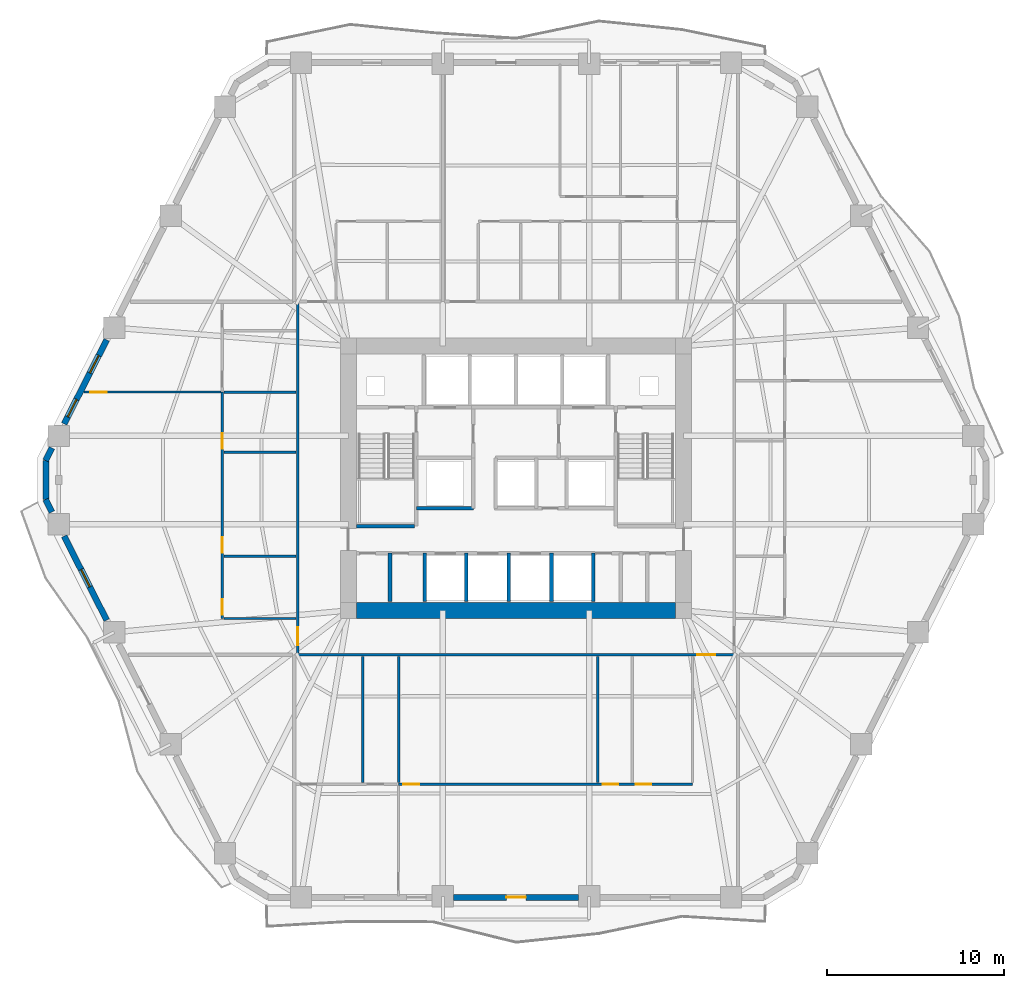
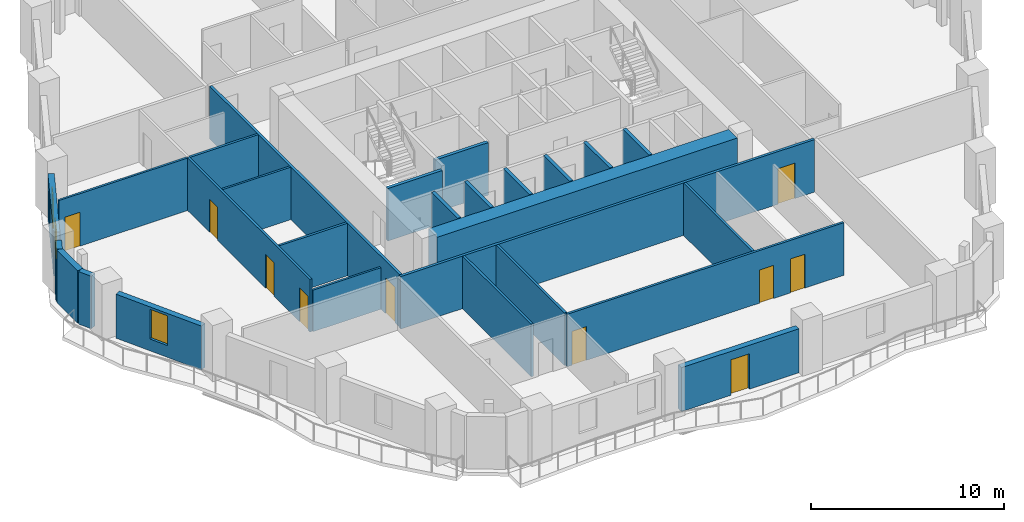
# One storey, part 4 of 11: 27 walls, 10 doors, 3 windows, 13 openings.
"""IFC4 building model written with IfcOpenShell, lengths in metres."""

from ifc_helpers import new_model, si_unit, direction, frame, frame_2d, origin, place, context, subcontext, project, spatial, rectangle, extrude, material, layer, layer_set, type_object, element, fill, save


model = new_model("IFC4")

# Units and contexts
model_context = context("Model", 3, precision=1e-05, world=origin(), true_north=direction((0.0, 1.0)))
body_context = subcontext(model_context, "Body", "Model", "MODEL_VIEW")
ifc_project = project(units=[si_unit("LENGTHUNIT", "METRE"), si_unit("AREAUNIT", "SQUARE_METRE"), si_unit("VOLUMEUNIT", "CUBIC_METRE"), si_unit("PLANEANGLEUNIT", "RADIAN"), si_unit("MASSUNIT", "GRAM", prefix="KILO")], contexts=[model_context])

# Site, building, storey
site_placement = place(None, origin())
site = spatial("IfcSite", under=ifc_project, at=site_placement, CompositionType="ELEMENT")
building_placement = place(site_placement, origin())
building = spatial("IfcBuilding", under=site, at=building_placement, Name="Cinnabar Lancet Tower", CompositionType="ELEMENT")
storey_placement = place(building_placement, frame((0.0, 0.0, 46.199951171875)))
storey = spatial("IfcBuildingStorey", under=building, at=storey_placement, Name="L11", CompositionType="ELEMENT", Elevation=46.199951171875)

# Wall, opening, door
ifc_material_1 = material(Name="Acoustic twin-stud gypsum partition", Category="gypsum")
ifc_layer_1 = layer(ifc_material_1, 0.159912109375)
ifc_layer_set_1 = layer_set([ifc_layer_1], Name="Acoustic twin-stud gypsum partition")
wall_type_1 = type_object("IfcWallType", Name="ARC-WL-CORR-160", PredefinedType="PARTITIONING", material=ifc_layer_set_1)
wall_1_placement = place(storey_placement, frame((19.9951171875, 15.949951171875, 0.0), z_axis=(0.0, 0.0, 1.0), x_axis=(1.0, 0.0, 0.0)))
wall_1 = element("IfcWall", 1, at=wall_1_placement, inside=storey, type_object=wall_type_1, Name="L11 Unit S01 Corridor Wall", PredefinedType="PARTITIONING", context=body_context, shape_type="SweptSolid", body=[
    extrude(rectangle(XDim=24.809814453125, YDim=0.159912109375, at=frame_2d((12.40478515625, 0.0))), origin(), (0.0, 0.0, 1.0), 3.330078125),
])
opening_1_placement = place(wall_1_placement, frame((22.60498046875, 0.0, 0.0)))
opening_1 = element("IfcOpeningElement", 2, at=opening_1_placement, cuts=wall_1, Name="Opening UD-01", PredefinedType="OPENING", context=body_context, shape_type="SweptSolid", body=[
    extrude(rectangle(XDim=1.02001953125, YDim=2.25, at=frame_2d((0.510009765625, 1.125))), frame((0.0, 0.08984375, 0.0), z_axis=(0.0, -1.0, 0.0), x_axis=(1.0, 0.0, 0.0)), (0.0, 0.0, 1.0), 0.179931640625),
])
ifc_material_2 = material(Name="Solid timber fire-rated apartment entrance door", Category="wood")
door_type_1 = type_object("IfcDoorType", Name="ARC-DR-UNIT", OperationType="NOTDEFINED", PredefinedType="DOOR", material=ifc_material_2)
door_1_placement = place(opening_1_placement, origin())
door_1 = element("IfcDoor", 3, at=door_1_placement, inside=storey, type_object=door_type_1, Name="DR-L11-S01-ENT", OperationType="SINGLE_SWING_RIGHT", OverallHeight=2.25, OverallWidth=1.02001953125, PredefinedType="DOOR", context=body_context, shape_type="SweptSolid", body=[
    extrude(rectangle(XDim=1.02001953125, YDim=2.25, at=frame_2d((0.510009765625, 1.125))), frame((0.0, 0.02490234375, 0.0), z_axis=(0.0, -1.0, 0.0), x_axis=(1.0, 0.0, 0.0)), (0.0, 0.0, 1.0), 0.050048828125),
])
fill(opening_1, door_1)

wall_2_placement = place(storey_placement, frame((20.10009765625, 16.044921875, 0.0), z_axis=(0.0, 0.0, 1.0), x_axis=(0.0, 1.0, 0.0)))
wall_2 = element("IfcWall", 4, at=wall_2_placement, inside=storey, type_object=wall_type_1, Name="UW-L11-W01-COR", PredefinedType="PARTITIONING", context=body_context, shape_type="SweptSolid", body=[
    extrude(rectangle(XDim=19.7099609375, YDim=0.159912109375, at=frame_2d((9.85498046875, 0.0))), origin(), (0.0, 0.0, 1.0), 3.330078125),
])
opening_2_placement = place(wall_2_placement, frame((0.449951171875, 0.0, 0.0)))
opening_2 = element("IfcOpeningElement", 5, at=opening_2_placement, cuts=wall_2, Name="Opening UD-01", PredefinedType="OPENING", context=body_context, shape_type="SweptSolid", body=[
    extrude(rectangle(XDim=1.02001953125, YDim=2.25, at=frame_2d((0.510009765625, 1.125))), frame((0.0, 0.08984375, 0.0), z_axis=(0.0, -1.0, 0.0), x_axis=(1.0, 0.0, 0.0)), (0.0, 0.0, 1.0), 0.179931640625),
])
door_2_placement = place(opening_2_placement, origin())
door_2 = element("IfcDoor", 6, at=door_2_placement, inside=storey, type_object=door_type_1, Name="DR-L11-W01-ENT", OperationType="SINGLE_SWING_RIGHT", OverallHeight=2.25, OverallWidth=1.02001953125, PredefinedType="DOOR", context=body_context, shape_type="SweptSolid", body=[
    extrude(rectangle(XDim=1.02001953125, YDim=2.25, at=frame_2d((0.510009765625, 1.125))), frame((0.0, 0.02490234375, 0.0), z_axis=(0.0, -1.0, 0.0), x_axis=(1.0, 0.0, 0.0)), (0.0, 0.0, 1.0), 0.050048828125),
])
fill(opening_2, door_2)

# Walls
ifc_material_3 = material(Name="Autoclaved aerated concrete blockwork", Category="masonry")
ifc_layer_2 = layer(ifc_material_3, 0.199951171875)
ifc_layer_set_2 = layer_set([ifc_layer_2], Name="Autoclaved aerated concrete blockwork")
wall_type_2 = type_object("IfcWallType", Name="ARC-WL-SHAFT-200", PredefinedType="PLUMBINGWALL", material=ifc_layer_set_2)
wall_3_placement = place(storey_placement, frame((23.405029296875, 23.199951171875, 0.0), z_axis=(0.0, 0.0, 1.0), x_axis=(1.0, 0.0, 0.0)))
element("IfcWall", 7, at=wall_3_placement, inside=storey, type_object=wall_type_2, Name="CW-ST1S-L11", PredefinedType="PLUMBINGWALL", context=body_context, shape_type="SweptSolid", body=[
    extrude(rectangle(XDim=3.27001953125, YDim=0.199951171875, at=frame_2d((1.635009765625, 0.0))), origin(), (0.0, 0.0, 1.0), 3.330078125),
])
wall_4_placement = place(storey_placement, frame((26.800048828125, 24.199951171875, 0.0), z_axis=(0.0, 0.0, 1.0), x_axis=(1.0, 0.0, 0.0)))
element("IfcWall", 8, at=wall_4_placement, inside=storey, type_object=wall_type_2, Name="CW-PL5S-L11", PredefinedType="PLUMBINGWALL", context=body_context, shape_type="SweptSolid", body=[
    extrude(rectangle(XDim=3.199951171875, YDim=0.199951171875, at=frame_2d((1.60009765625, 0.0))), origin(), (0.0, 0.0, 1.0), 3.330078125),
])
for number, where, z_axis, x_axis, name in (
    (9, (27.25, 18.949951171875, 0.0), (0.0, 0.0, 1.0), (0.0, 1.0, 0.0), "CW-SB-2725-L11"),
    (10, (29.60009765625, 18.949951171875, 0.0), (0.0, 0.0, 1.0), (0.0, 1.0, 0.0), "CW-SB-2960-L11"),
    (11, (32.0, 18.949951171875, 0.0), (0.0, 0.0, 1.0), (0.0, 1.0, 0.0), "CW-SB-3200-L11"),
    (12, (34.39990234375, 18.949951171875, 0.0), (0.0, 0.0, 1.0), (0.0, 1.0, 0.0), "CW-SB-3440-L11"),
    (13, (36.75, 18.949951171875, 0.0), (0.0, 0.0, 1.0), (0.0, 1.0, 0.0), "CW-SB-3675-L11"),
    (14, (25.300048828125, 18.949951171875, 0.0), (0.0, 0.0, 1.0), (0.0, 1.0, 0.0), "CW-SBC2-253-L11"),
):
    element("IfcWall", number, at=place(storey_placement, frame(where, z_axis=z_axis, x_axis=x_axis)), inside=storey, type_object=wall_type_2, Name=name, PredefinedType="PLUMBINGWALL", context=body_context, shape_type="SweptSolid", body=[
        extrude(rectangle(XDim=2.72998046875, YDim=0.199951171875, at=frame_2d((1.364990234375, 0.0))), origin(), (0.0, 0.0, 1.0), 3.330078125),
    ])
ifc_material_4 = material(Name="Gypsum plasterboard stud partition", Category="gypsum")
ifc_layer_3 = layer(ifc_material_4, 0.125)
ifc_layer_set_3 = layer_set([ifc_layer_3], Name="Gypsum plasterboard stud partition")
wall_type_3 = type_object("IfcWallType", Name="ARC-WL-UNIT-125", PredefinedType="PARTITIONING", material=ifc_layer_set_3)
wall_5_placement = place(storey_placement, frame((15.93505859375, 18.0, 0.0), z_axis=(0.0, 0.0, 1.0), x_axis=(1.0, 0.0, 0.0)))
element("IfcWall", 15, at=wall_5_placement, inside=storey, type_object=wall_type_3, Name="UW-L11-W01-FOYN", PredefinedType="PARTITIONING", context=body_context, shape_type="SweptSolid", body=[
    extrude(rectangle(XDim=4.079833984375, YDim=0.125, at=frame_2d((2.0400390625, 0.0))), origin(), (0.0, 0.0, 1.0), 2.636962890625),
])

# Wall, opening, door
wall_6_placement = place(storey_placement, frame((8.071044921875, 30.7548828125, 0.0), z_axis=(0.0, 0.0, 1.0), x_axis=(1.0, 0.0, 0.0)))
wall_6 = element("IfcWall", 16, at=wall_6_placement, inside=storey, type_object=wall_type_3, Name="UW-L11-W01-MBN", PredefinedType="PARTITIONING", context=body_context, shape_type="SweptSolid", body=[
    extrude(rectangle(XDim=7.703857421875, YDim=0.125, at=frame_2d((3.85205078125, 0.0))), origin(), (0.0, 0.0, 1.0), 3.330078125),
])
opening_3_placement = place(wall_6_placement, frame((0.35009765625, 0.0, 0.0)))
opening_3 = element("IfcOpeningElement", 17, at=opening_3_placement, cuts=wall_6, Name="Opening RD-01", PredefinedType="OPENING", context=body_context, shape_type="SweptSolid", body=[
    extrude(rectangle(XDim=0.919921875, YDim=2.14990234375, at=frame_2d((0.4599609375, 1.074951171875))), frame((0.0, 0.072509765625, 0.0), z_axis=(0.0, -1.0, 0.0), x_axis=(1.0, 0.0, 0.0)), (0.0, 0.0, 1.0), 0.14501953125),
])
ifc_material_5 = material(Name="Engineered timber bedroom door", Category="wood")
door_type_2 = type_object("IfcDoorType", Name="ARC-DR-ROOM", OperationType="NOTDEFINED", PredefinedType="DOOR", material=ifc_material_5)
door_3_placement = place(opening_3_placement, origin())
door_3 = element("IfcDoor", 18, at=door_3_placement, inside=storey, type_object=door_type_2, Name="DR-L11-W01-MBD", OperationType="SINGLE_SWING_RIGHT", OverallHeight=2.14990234375, OverallWidth=0.919921875, PredefinedType="DOOR", context=body_context, shape_type="SweptSolid", body=[
    extrude(rectangle(XDim=0.919921875, YDim=2.14990234375, at=frame_2d((0.4599609375, 1.074951171875))), frame((0.0, 0.02490234375, 0.0), z_axis=(0.0, -1.0, 0.0), x_axis=(1.0, 0.0, 0.0)), (0.0, 0.0, 1.0), 0.050048828125),
])
fill(opening_3, door_3)

# Wall
wall_7_placement = place(storey_placement, frame((15.93505859375, 27.364013671875, 0.0), z_axis=(0.0, 0.0, 1.0), x_axis=(1.0, 0.0, 0.0)))
element("IfcWall", 19, at=wall_7_placement, inside=storey, type_object=wall_type_3, Name="UW-L11-W01-UDV", PredefinedType="PARTITIONING", context=body_context, shape_type="SweptSolid", body=[
    extrude(rectangle(XDim=4.079833984375, YDim=0.125, at=frame_2d((2.0400390625, 0.0))), origin(), (0.0, 0.0, 1.0), 3.330078125),
])

# Wall, openings, doors
ifc_material_6 = material(Name="Moisture-resistant cement-board plumbing wall", Category="masonry")
ifc_layer_4 = layer(ifc_material_6, 0.139892578125)
ifc_layer_set_4 = layer_set([ifc_layer_4], Name="Moisture-resistant cement-board plumbing wall")
wall_type_4 = type_object("IfcWallType", Name="ARC-WL-WET-140", PredefinedType="PLUMBINGWALL", material=ifc_layer_set_4)
wall_8_placement = place(storey_placement, frame((25.780029296875, 8.6630859375, 0.0), z_axis=(0.0, 0.0, 1.0), x_axis=(1.0, 0.0, 0.0)))
wall_8 = element("IfcWall", 20, at=wall_8_placement, inside=storey, type_object=wall_type_4, Name="UW-L11-S01-SPL", PredefinedType="PLUMBINGWALL", context=body_context, shape_type="SweptSolid", body=[
    extrude(rectangle(XDim=16.570068359375, YDim=0.139892578125, at=frame_2d((8.28515625, 0.0))), origin(), (0.0, 0.0, 1.0), 3.330078125),
])
opening_4_placement = place(wall_8_placement, frame((0.280029296875, 0.0, 0.0)))
opening_4 = element("IfcOpeningElement", 21, at=opening_4_placement, cuts=wall_8, Name="Opening RD-02", PredefinedType="OPENING", context=body_context, shape_type="SweptSolid", body=[
    extrude(rectangle(XDim=0.8798828125, YDim=2.14990234375, at=frame_2d((0.43994140625, 1.074951171875))), frame((0.0, 0.079833984375, 0.0), z_axis=(0.0, -1.0, 0.0), x_axis=(1.0, 0.0, 0.0)), (0.0, 0.0, 1.0), 0.159912109375),
])
opening_5_placement = place(wall_8_placement, frame((11.513916015625, 0.0, 0.0)))
opening_5 = element("IfcOpeningElement", 22, at=opening_5_placement, cuts=wall_8, Name="Opening BD-01", PredefinedType="OPENING", context=body_context, shape_type="SweptSolid", body=[
    extrude(rectangle(XDim=0.860107421875, YDim=2.10009765625, at=frame_2d((0.43017578125, 1.050048828125))), frame((0.0, 0.079833984375, 0.0), z_axis=(0.0, -1.0, 0.0), x_axis=(1.0, 0.0, 0.0)), (0.0, 0.0, 1.0), 0.159912109375),
])
opening_6_placement = place(wall_8_placement, frame((13.3701171875, 0.0, 0.0)))
opening_6 = element("IfcOpeningElement", 23, at=opening_6_placement, cuts=wall_8, Name="Opening RD-02", PredefinedType="OPENING", context=body_context, shape_type="SweptSolid", body=[
    extrude(rectangle(XDim=0.8798828125, YDim=2.14990234375, at=frame_2d((0.43994140625, 1.074951171875))), frame((0.0, 0.079833984375, 0.0), z_axis=(0.0, -1.0, 0.0), x_axis=(1.0, 0.0, 0.0)), (0.0, 0.0, 1.0), 0.159912109375),
])
ifc_material_7 = material(Name="Moisture-resistant timber bathroom door", Category="wood")
door_type_3 = type_object("IfcDoorType", Name="ARC-DR-BATH", OperationType="NOTDEFINED", PredefinedType="DOOR", material=ifc_material_7)
door_4_placement = place(opening_5_placement, origin())
door_4 = element("IfcDoor", 24, at=door_4_placement, inside=storey, type_object=door_type_3, Name="DR-L11-S01-BTH", OperationType="SINGLE_SWING_RIGHT", OverallHeight=2.10009765625, OverallWidth=0.860107421875, PredefinedType="DOOR", context=body_context, shape_type="SweptSolid", body=[
    extrude(rectangle(XDim=0.860107421875, YDim=2.10009765625, at=frame_2d((0.43017578125, 1.050048828125))), frame((0.0, 0.02490234375, 0.0), z_axis=(0.0, -1.0, 0.0), x_axis=(1.0, 0.0, 0.0)), (0.0, 0.0, 1.0), 0.050048828125),
])
fill(opening_5, door_4)
ifc_material_8 = material(Name="Engineered timber study door", Category="wood")
door_type_4 = type_object("IfcDoorType", Name="ARC-DR-STUDY", OperationType="NOTDEFINED", PredefinedType="DOOR", material=ifc_material_8)
door_5_placement = place(opening_4_placement, origin())
door_5 = element("IfcDoor", 25, at=door_5_placement, inside=storey, type_object=door_type_4, Name="DR-L11-S01-BTH-WDR", OperationType="SINGLE_SWING_LEFT", OverallHeight=2.14990234375, OverallWidth=0.8798828125, PredefinedType="DOOR", context=body_context, shape_type="SweptSolid", body=[
    extrude(rectangle(XDim=0.8798828125, YDim=2.14990234375, at=frame_2d((0.43994140625, 1.074951171875))), frame((0.0, 0.02490234375, 0.0), z_axis=(0.0, -1.0, 0.0), x_axis=(1.0, 0.0, 0.0)), (0.0, 0.0, 1.0), 0.050048828125),
])
fill(opening_4, door_5)
door_6_placement = place(opening_6_placement, origin())
door_6 = element("IfcDoor", 26, at=door_6_placement, inside=storey, type_object=door_type_4, Name="DR-L11-S01-KIT", OperationType="SINGLE_SWING_RIGHT", OverallHeight=2.14990234375, OverallWidth=0.8798828125, PredefinedType="DOOR", context=body_context, shape_type="SweptSolid", body=[
    extrude(rectangle(XDim=0.8798828125, YDim=2.14990234375, at=frame_2d((0.43994140625, 1.074951171875))), frame((0.0, 0.02490234375, 0.0), z_axis=(0.0, -1.0, 0.0), x_axis=(1.0, 0.0, 0.0)), (0.0, 0.0, 1.0), 0.050048828125),
])
fill(opening_6, door_6)

# Walls
wall_9_placement = place(storey_placement, frame((25.780029296875, 8.76806640625, 0.0), z_axis=(0.0, 0.0, 1.0), x_axis=(0.0, 1.0, 0.0)))
element("IfcWall", 27, at=wall_9_placement, inside=storey, type_object=wall_type_4, Name="UW-L11-S01-ENSW", PredefinedType="PLUMBINGWALL", context=body_context, shape_type="SweptSolid", body=[
    extrude(rectangle(XDim=7.096923828125, YDim=0.139892578125, at=frame_2d((3.54833984375, 0.0))), origin(), (0.0, 0.0, 1.0), 3.330078125),
])
for number, where, z_axis, x_axis, name in (
    (28, (37.013916015625, 8.748046875, 0.0), (0.0, 0.0, 1.0), (0.0, 1.0, 0.0), "UW-L11-S01-BTH-WDV"),
    (29, (23.76904296875, 8.748046875, 0.0), (0.0, 0.0, 1.0), (0.0, 1.0, 0.0), "UW-L11-S01-ENS-WDV"),
):
    element("IfcWall", number, at=place(storey_placement, frame(where, z_axis=z_axis, x_axis=x_axis)), inside=storey, type_object=wall_type_4, Name=name, PredefinedType="PLUMBINGWALL", context=body_context, shape_type="SweptSolid", body=[
        extrude(rectangle(XDim=7.116943359375, YDim=0.139892578125, at=frame_2d((3.55859375, 0.0))), origin(), (0.0, 0.0, 1.0), 3.330078125),
    ])

# Wall, openings, doors
wall_10_placement = place(storey_placement, frame((15.85009765625, 18.0, 0.0), z_axis=(0.0, 0.0, 1.0), x_axis=(0.0, 1.0, 0.0)))
wall_10 = element("IfcWall", 30, at=wall_10_placement, inside=storey, type_object=wall_type_4, Name="UW-L11-W01-SPL", PredefinedType="PLUMBINGWALL", context=body_context, shape_type="SweptSolid", body=[
    extrude(rectangle(XDim=12.7548828125, YDim=0.139892578125, at=frame_2d((6.37744140625, 0.0))), origin(), (0.0, 0.0, 1.0), 3.330078125),
])
opening_7_placement = place(wall_10_placement, frame((0.199951171875, 0.0, 0.0)))
opening_7 = element("IfcOpeningElement", 31, at=opening_7_placement, cuts=wall_10, Name="Opening RD-02", PredefinedType="OPENING", context=body_context, shape_type="SweptSolid", body=[
    extrude(rectangle(XDim=0.8798828125, YDim=2.14990234375, at=frame_2d((0.43994140625, 1.074951171875))), frame((0.0, 0.079833984375, 0.0), z_axis=(0.0, -1.0, 0.0), x_axis=(1.0, 0.0, 0.0)), (0.0, 0.0, 1.0), 0.159912109375),
])
opening_8_placement = place(wall_10_placement, frame((3.699951171875, 0.0, 0.0)))
opening_8 = element("IfcOpeningElement", 32, at=opening_8_placement, cuts=wall_10, Name="Opening RD-02", PredefinedType="OPENING", context=body_context, shape_type="SweptSolid", body=[
    extrude(rectangle(XDim=0.8798828125, YDim=2.14990234375, at=frame_2d((0.43994140625, 1.074951171875))), frame((0.0, 0.079833984375, 0.0), z_axis=(0.0, -1.0, 0.0), x_axis=(1.0, 0.0, 0.0)), (0.0, 0.0, 1.0), 0.159912109375),
])
opening_9_placement = place(wall_10_placement, frame((9.56396484375, 0.0, 0.0)))
opening_9 = element("IfcOpeningElement", 33, at=opening_9_placement, cuts=wall_10, Name="Opening BD-01", PredefinedType="OPENING", context=body_context, shape_type="SweptSolid", body=[
    extrude(rectangle(XDim=0.860107421875, YDim=2.10009765625, at=frame_2d((0.43017578125, 1.050048828125))), frame((0.0, 0.079833984375, 0.0), z_axis=(0.0, -1.0, 0.0), x_axis=(1.0, 0.0, 0.0)), (0.0, 0.0, 1.0), 0.159912109375),
])
door_7_placement = place(opening_9_placement, origin())
door_7 = element("IfcDoor", 34, at=door_7_placement, inside=storey, type_object=door_type_3, Name="DR-L11-W01-BTH", OperationType="SINGLE_SWING_LEFT", OverallHeight=2.10009765625, OverallWidth=0.860107421875, PredefinedType="DOOR", context=body_context, shape_type="SweptSolid", body=[
    extrude(rectangle(XDim=0.860107421875, YDim=2.10009765625, at=frame_2d((0.43017578125, 1.050048828125))), frame((0.0, 0.02490234375, 0.0), z_axis=(0.0, -1.0, 0.0), x_axis=(1.0, 0.0, 0.0)), (0.0, 0.0, 1.0), 0.050048828125),
])
fill(opening_9, door_7)
door_8_placement = place(opening_7_placement, origin())
door_8 = element("IfcDoor", 35, at=door_8_placement, inside=storey, type_object=door_type_4, Name="DR-L11-W01-KIT", OperationType="SINGLE_SWING_LEFT", OverallHeight=2.14990234375, OverallWidth=0.8798828125, PredefinedType="DOOR", context=body_context, shape_type="SweptSolid", body=[
    extrude(rectangle(XDim=0.8798828125, YDim=2.14990234375, at=frame_2d((0.43994140625, 1.074951171875))), frame((0.0, 0.02490234375, 0.0), z_axis=(0.0, -1.0, 0.0), x_axis=(1.0, 0.0, 0.0)), (0.0, 0.0, 1.0), 0.050048828125),
])
fill(opening_7, door_8)
door_9_placement = place(opening_8_placement, origin())
door_9 = element("IfcDoor", 36, at=door_9_placement, inside=storey, type_object=door_type_4, Name="DR-L11-W01-UTL", OperationType="SINGLE_SWING_RIGHT", OverallHeight=2.14990234375, OverallWidth=0.8798828125, PredefinedType="DOOR", context=body_context, shape_type="SweptSolid", body=[
    extrude(rectangle(XDim=0.8798828125, YDim=2.14990234375, at=frame_2d((0.43994140625, 1.074951171875))), frame((0.0, 0.02490234375, 0.0), z_axis=(0.0, -1.0, 0.0), x_axis=(1.0, 0.0, 0.0)), (0.0, 0.0, 1.0), 0.050048828125),
])
fill(opening_8, door_9)

# Walls
for number, where, z_axis, x_axis, name in (
    (37, (15.93505859375, 30.7548828125, 0.0), (0.0, 0.0, 1.0), (1.0, 0.0, 0.0), "UW-L11-W01-ENSN"),
    (38, (15.93505859375, 21.5, 0.0), (0.0, 0.0, 1.0), (1.0, 0.0, 0.0), "UW-L11-W01-KDV"),
):
    element("IfcWall", number, at=place(storey_placement, frame(where, z_axis=z_axis, x_axis=x_axis)), inside=storey, type_object=wall_type_4, Name=name, PredefinedType="PLUMBINGWALL", context=body_context, shape_type="SweptSolid", body=[
        extrude(rectangle(XDim=4.079833984375, YDim=0.139892578125, at=frame_2d((2.0400390625, 0.0))), origin(), (0.0, 0.0, 1.0), 3.330078125),
    ])
ifc_material_9 = material(Name="Cinnabar red clay brick", Category="masonry")
ifc_layer_5 = layer(ifc_material_9, 0.340087890625)
ifc_layer_set_5 = layer_set([ifc_layer_5], Name="Cinnabar red clay brick")
wall_type_5 = type_object("IfcWallType", Name="ENV-WL-BRK-RED-340", PredefinedType="STANDARD", material=ifc_layer_set_5)
wall_11_placement = place(storey_placement, frame((5.912109375, 26.885986328125, 0.0), z_axis=(0.0, 0.0, 1.0), x_axis=(0.0, -1.0, 0.0)))
element("IfcWall", 39, at=wall_11_placement, inside=storey, type_object=wall_type_5, Name="L11 Chamfered Corner Brick Pier 6.1", PredefinedType="STANDARD", context=body_context, shape_type="SweptSolid", body=[
    extrude(rectangle(XDim=2.171875, YDim=0.340087890625, at=frame_2d((1.0859375, 0.0))), origin(), (0.0, 0.0, 1.0), 3.330078125),
])

# Wall, opening, door
wall_12_placement = place(storey_placement, frame((28.882080078125, 2.280029296875, 0.0), z_axis=(0.0, 0.0, 1.0), x_axis=(1.0, 0.0, 0.0)))
wall_12 = element("IfcWall", 40, at=wall_12_placement, inside=storey, type_object=wall_type_5, Name="L11 Face 1 Masonry Bay Wall 3", PredefinedType="STANDARD", context=body_context, shape_type="SweptSolid", body=[
    extrude(rectangle(XDim=7.035888671875, YDim=0.340087890625, at=frame_2d((3.51806640625, 0.0))), origin(), (0.0, 0.0, 1.0), 2.787109375),
])
opening_10_placement = place(wall_12_placement, frame((2.968017578125, 0.0, 0.0)))
opening_10 = element("IfcOpeningElement", 41, at=opening_10_placement, cuts=wall_12, Name="Opening TD-01", PredefinedType="OPENING", context=body_context, shape_type="SweptSolid", body=[
    extrude(rectangle(XDim=1.10009765625, YDim=2.25, at=frame_2d((0.550048828125, 1.125))), frame((0.0, 0.179931640625, 0.0), z_axis=(0.0, -1.0, 0.0), x_axis=(1.0, 0.0, 0.0)), (0.0, 0.0, 1.0), 0.360107421875),
])
ifc_material_10 = material(Name="Thermally broken low-E glazed balcony terrace door", Category="wood")
door_type_5 = type_object("IfcDoorType", Name="ARC-DR-BALC", OperationType="NOTDEFINED", PredefinedType="DOOR", material=ifc_material_10)
door_10_placement = place(opening_10_placement, origin())
door_10 = element("IfcDoor", 42, at=door_10_placement, inside=storey, type_object=door_type_5, Name="L11 Face 1 Glazed Terrace Door", OperationType="SINGLE_SWING_RIGHT", OverallHeight=2.25, OverallWidth=1.10009765625, PredefinedType="DOOR", context=body_context, shape_type="SweptSolid", body=[
    extrude(rectangle(XDim=1.10009765625, YDim=2.25, at=frame_2d((0.550048828125, 1.125))), frame((0.0, 0.02490234375, 0.0), z_axis=(0.0, -1.0, 0.0), x_axis=(1.0, 0.0, 0.0)), (0.0, 0.0, 1.0), 0.050048828125),
])
fill(opening_10, door_10)

# Wall, openings, windows
wall_13_placement = place(storey_placement, frame((9.3349609375, 33.698974609375, 0.0), z_axis=(0.0, 0.0, 1.0), x_axis=(-0.451590635984, -0.892225250422, 0.0)))
wall_13 = element("IfcWall", 43, at=wall_13_placement, inside=storey, type_object=wall_type_5, Name="L11 Face 5 Masonry Bay Wall 4", PredefinedType="STANDARD", context=body_context, shape_type="SweptSolid", body=[
    extrude(rectangle(XDim=5.303466796875, YDim=0.340087890625, at=frame_2d((2.65185546875, 0.0))), origin(), (0.0, 0.0, 1.0), 2.787109375),
])
opening_11_placement = place(wall_13_placement, frame((0.989013671875, 0.0, 0.75)))
opening_11 = element("IfcOpeningElement", 44, at=opening_11_placement, cuts=wall_13, Name="Opening WN-04", PredefinedType="OPENING", context=body_context, shape_type="SweptSolid", body=[
    extrude(rectangle(XDim=1.10009765625, YDim=1.886962890625, at=frame_2d((0.550048828125, 0.943359375))), frame((0.0, 0.179931640625, 0.0), z_axis=(0.0, -1.0, 0.0), x_axis=(1.0, 0.0, 0.0)), (0.0, 0.0, 1.0), 0.360107421875),
])
opening_12_placement = place(wall_13_placement, frame((3.760986328125, 0.0, 0.75)))
opening_12 = element("IfcOpeningElement", 45, at=opening_12_placement, cuts=wall_13, Name="Opening WN-04", PredefinedType="OPENING", context=body_context, shape_type="SweptSolid", body=[
    extrude(rectangle(XDim=1.10009765625, YDim=1.886962890625, at=frame_2d((0.550048828125, 0.943359375))), frame((0.0, 0.179931640625, 0.0), z_axis=(0.0, -1.0, 0.0), x_axis=(1.0, 0.0, 0.0)), (0.0, 0.0, 1.0), 0.360107421875),
])
ifc_material_11 = material(Name="Thermally broken bronze-anodized aluminium tall lancet window", Category="aluminium")
window_type = type_object("IfcWindowType", Name="ENV-WN-LANCET-1100", PartitioningType="SINGLE_PANEL", PredefinedType="WINDOW", material=ifc_material_11)
window_1_placement = place(opening_11_placement, origin())
window_1 = element("IfcWindow", 46, at=window_1_placement, inside=storey, type_object=window_type, Name="L11 Face 5 Gothic Lancet Window 4", OverallHeight=1.886962890625, OverallWidth=1.10009765625, PartitioningType="SINGLE_PANEL", PredefinedType="WINDOW", context=body_context, shape_type="SweptSolid", body=[
    extrude(rectangle(XDim=1.10009765625, YDim=1.886962890625, at=frame_2d((0.550048828125, 0.943359375))), frame((0.0, 0.030029296875, 0.0), z_axis=(0.0, -1.0, 0.0), x_axis=(1.0, 0.0, 0.0)), (0.0, 0.0, 1.0), 0.06005859375),
])
fill(opening_11, window_1)
window_2_placement = place(opening_12_placement, origin())
window_2 = element("IfcWindow", 47, at=window_2_placement, inside=storey, type_object=window_type, Name="L11 Split-Bay Gothic Lancet Window 23", OverallHeight=1.886962890625, OverallWidth=1.10009765625, PartitioningType="SINGLE_PANEL", PredefinedType="WINDOW", context=body_context, shape_type="SweptSolid", body=[
    extrude(rectangle(XDim=1.10009765625, YDim=1.886962890625, at=frame_2d((0.550048828125, 0.943359375))), frame((0.0, 0.030029296875, 0.0), z_axis=(0.0, -1.0, 0.0), x_axis=(1.0, 0.0, 0.0)), (0.0, 0.0, 1.0), 0.06005859375),
])
fill(opening_12, window_2)

# Walls
for number, where, z_axis, x_axis, name in (
    (48, (6.251953125, 27.60498046875, 0.0), (0.0, 0.0, 1.0), (-0.452101093511, -0.891966704113, 0.0), "L11 Face 5 Masonry Bay Wall 5"),
    (49, (5.89111328125, 24.70703125, 0.0), (0.0, 0.0, 1.0), (0.452101093511, -0.891966704113, 0.0), "L11 Face 6 Masonry Bay Wall 1"),
):
    element("IfcWall", number, at=place(storey_placement, frame(where, z_axis=z_axis, x_axis=x_axis)), inside=storey, type_object=wall_type_5, Name=name, PredefinedType="STANDARD", context=body_context, shape_type="SweptSolid", body=[
        extrude(rectangle(XDim=0.798095703125, YDim=0.340087890625, at=frame_2d((0.39892578125, 0.0))), origin(), (0.0, 0.0, 1.0), 3.330078125),
    ])

# Wall, opening, window
wall_14_placement = place(storey_placement, frame((6.93994140625, 22.633056640625, 0.0), z_axis=(0.0, 0.0, 1.0), x_axis=(0.451572088722, -0.892234637686, 0.0)))
wall_14 = element("IfcWall", 50, at=wall_14_placement, inside=storey, type_object=wall_type_5, Name="L11 Face 6 Masonry Bay Wall 2", PredefinedType="STANDARD", context=body_context, shape_type="SweptSolid", body=[
    extrude(rectangle(XDim=5.3037109375, YDim=0.340087890625, at=frame_2d((2.65185546875, 0.0))), origin(), (0.0, 0.0, 1.0), 2.787109375),
])
opening_13_placement = place(wall_14_placement, frame((2.10205078125, 0.0, 0.75)))
opening_13 = element("IfcOpeningElement", 51, at=opening_13_placement, cuts=wall_14, Name="Opening WN-04", PredefinedType="OPENING", context=body_context, shape_type="SweptSolid", body=[
    extrude(rectangle(XDim=1.10009765625, YDim=1.886962890625, at=frame_2d((0.550048828125, 0.943359375))), frame((0.0, 0.179931640625, 0.0), z_axis=(0.0, -1.0, 0.0), x_axis=(1.0, 0.0, 0.0)), (0.0, 0.0, 1.0), 0.360107421875),
])
window_3_placement = place(opening_13_placement, origin())
window_3 = element("IfcWindow", 52, at=window_3_placement, inside=storey, type_object=window_type, Name="L11 Face 6 Gothic Lancet Window 2", OverallHeight=1.886962890625, OverallWidth=1.10009765625, PartitioningType="SINGLE_PANEL", PredefinedType="WINDOW", context=body_context, shape_type="SweptSolid", body=[
    extrude(rectangle(XDim=1.10009765625, YDim=1.886962890625, at=frame_2d((0.550048828125, 0.943359375))), frame((0.0, 0.030029296875, 0.0), z_axis=(0.0, -1.0, 0.0), x_axis=(1.0, 0.0, 0.0)), (0.0, 0.0, 1.0), 0.06005859375),
])
fill(opening_13, window_3)

# Wall
ifc_material_12 = material(Name="Concrete C80/95", Category="concrete")
ifc_layer_6 = layer(ifc_material_12, 0.89990234375)
ifc_layer_set_6 = layer_set([ifc_layer_6], Name="Concrete C80/95")
wall_type_6 = type_object("IfcWallType", Name="STR-WL-CORE-900", PredefinedType="SHEAR", material=ifc_layer_set_6)
wall_15_placement = place(storey_placement, frame((23.39990234375, 18.449951171875, 0.0), z_axis=(0.0, 0.0, 1.0), x_axis=(1.0, 0.0, 0.0)))
element("IfcWall", 53, at=wall_15_placement, inside=storey, type_object=wall_type_6, Name="L11 Core Shear Wall S", PredefinedType="SHEAR", context=body_context, shape_type="SweptSolid", body=[
    extrude(rectangle(XDim=18.0, YDim=0.89990234375, at=frame_2d((9.0, 0.0))), origin(), (0.0, 0.0, 1.0), 3.330078125),
])

save(model, "model.ifc")
